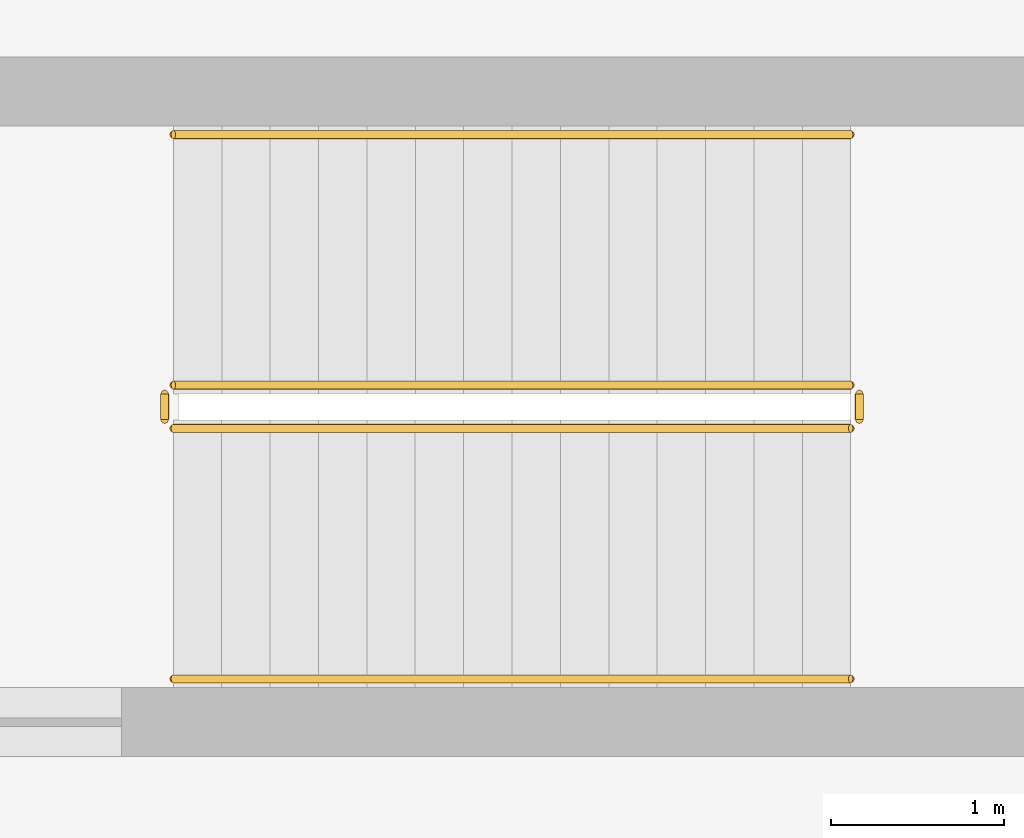
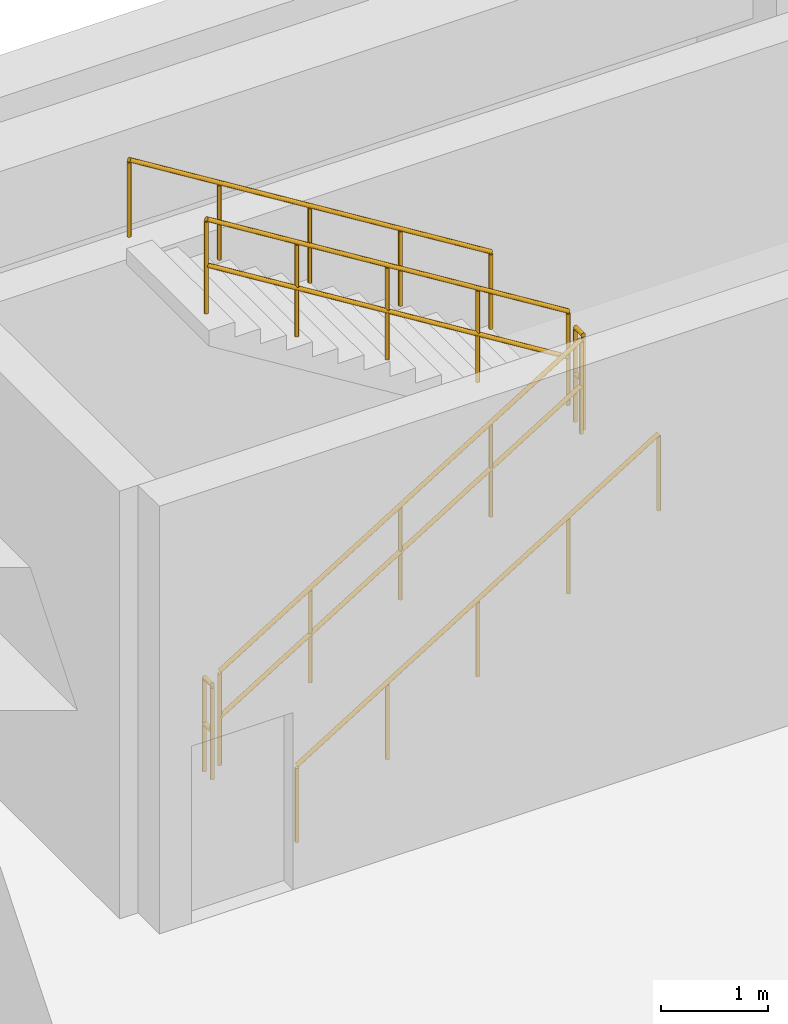
# One storey, part 11 of 13: 6 railings.
"""IFC4 building model written with IfcOpenShell, lengths in metres."""

import ifcopenshell
import ifcopenshell.guid

model = None  # the IFC model being written
_history = None  # IfcOwnerHistory: only IFC2X3 demands one
_inside = {}  # id of a spatial element -> (the spatial element, [elements in it])
_under = {}  # id of a project, library or spatial element -> (it, [spatial elements below it])
_declared = {}  # id of a project -> (the project, [libraries it declares])
_typed = {}  # id of a type object -> (the type object, [elements of that type])
_made_of = {}  # id of a material, layer set ... -> (it, [elements and type objects made of it])


def new_model(schema):
    """Start an empty IFC model of exactly this schema.

    Asked for "IFC4X3", IfcOpenShell would pick the latest addendum, in which some entities
    have other attributes; the version numbers below select the first issue.
    IFC2X3 requires an IfcOwnerHistory on every rooted entity: one is made here for all.
    """
    global model, _history
    if schema == "IFC4X3":
        model = ifcopenshell.file(schema_version=(4, 3, 0, 0))
    else:
        model = ifcopenshell.file(schema=schema)
    _inside.clear()
    _under.clear()
    _declared.clear()
    _typed.clear()
    _made_of.clear()
    _history = None
    if model.schema == "IFC2X3":
        org = make("IfcOrganization", Name="unknown")
        user = make(
            "IfcPersonAndOrganization",
            ThePerson=make("IfcPerson", FamilyName="unknown"),
            TheOrganization=org,
        )
        app = make(
            "IfcApplication",
            ApplicationDeveloper=org,
            Version="unknown",
            ApplicationFullName="unknown",
            ApplicationIdentifier="unknown",
        )
        _history = make(
            "IfcOwnerHistory",
            OwningUser=user,
            OwningApplication=app,
            ChangeAction="ADDED",
            CreationDate=0,
        )
    return model


def make(cls, **values):
    """One entity of the class cls with the attributes given. An attribute that is None is left unset."""
    return model.create_entity(
        cls, **{name: value for name, value in values.items() if value is not None}
    )


def rooted(cls, **values):
    """An entity with a GlobalId (a new one), such as an element, a storey or a relation."""
    return make(cls, GlobalId=ifcopenshell.guid.new(), OwnerHistory=_history, **values)


def si_unit(unit_type, name, prefix=None):
    """IfcSIUnit, for example si_unit("LENGTHUNIT", "METRE", prefix="MILLI")."""
    return make("IfcSIUnit", UnitType=unit_type, Prefix=prefix, Name=name)


def assignment(units):
    """IfcUnitAssignment: the units of a project."""
    return None if units is None else make("IfcUnitAssignment", Units=units)


def point(xyz):
    """IfcCartesianPoint."""
    return None if xyz is None else make("IfcCartesianPoint", Coordinates=xyz)


def direction(xyz):
    """IfcDirection."""
    return None if xyz is None else make("IfcDirection", DirectionRatios=xyz)


def frame(location, z_axis=None, x_axis=None):
    """IfcAxis2Placement3D, a coordinate frame: its origin and axes. An axis left out is left unset."""
    return make(
        "IfcAxis2Placement3D",
        Location=point(location),
        Axis=direction(z_axis),
        RefDirection=direction(x_axis),
    )


def frame_2d(location, x_axis=None):
    """IfcAxis2Placement2D, a coordinate frame in the plane: its origin and x axis."""
    return make(
        "IfcAxis2Placement2D", Location=point(location), RefDirection=direction(x_axis)
    )


def origin():
    """The frame at (0, 0, 0) with its axes left unset."""
    return frame((0.0, 0.0, 0.0))


def origin_2d():
    """The frame at (0, 0) in the plane with its x axis left unset."""
    return frame_2d((0.0, 0.0))


def place(relative_to, where):
    """IfcLocalPlacement: puts the frame where relative to a parent placement (None: the world)."""
    return make(
        "IfcLocalPlacement", PlacementRelTo=relative_to, RelativePlacement=where
    )


def context(
    kind, dimensions, precision=None, world=None, true_north=None, identifier=None
):
    """IfcGeometricRepresentationContext, for example the 3D "Model" context."""
    return make(
        "IfcGeometricRepresentationContext",
        ContextIdentifier=identifier,
        ContextType=kind,
        CoordinateSpaceDimension=dimensions,
        Precision=precision,
        WorldCoordinateSystem=world,
        TrueNorth=true_north,
    )


def subcontext(parent, identifier, kind, view, scale=None):
    """IfcGeometricRepresentationSubContext, for example "Body" below "Model"."""
    return make(
        "IfcGeometricRepresentationSubContext",
        ContextIdentifier=identifier,
        ContextType=kind,
        ParentContext=parent,
        TargetScale=scale,
        TargetView=view,
    )


def project(units=None, contexts=None):
    """IfcProject with its units and contexts."""
    return rooted(
        "IfcProject",
        Name="project",
        RepresentationContexts=contexts,
        UnitsInContext=assignment(units),
    )


def spatial(cls, under=None, at=None, **own):
    """A site, building, storey or space (cls), placed at a placement, below another one or the project."""
    s = rooted(cls, ObjectPlacement=at, **own)
    if under is not None:
        _under.setdefault(under.id(), (under, []))[1].append(s)
    return s


def profile(cls, at=None, kind="AREA", **sizes):
    """A parametric profile (cls). Its sizes go by their IFC names, for example OverallWidth=200.0."""
    return make(cls, ProfileType=kind, Position=at, **sizes)


def circle(**sizes):
    """IfcCircleProfileDef."""
    return profile("IfcCircleProfileDef", **sizes)


def extrude(swept, where, along, depth):
    """IfcExtrudedAreaSolid: the profile swept, set in the frame where, extruded along a direction by depth."""
    return make(
        "IfcExtrudedAreaSolid",
        SweptArea=swept,
        Position=where,
        ExtrudedDirection=direction(along),
        Depth=depth,
    )


def shape(context_of_items, identifier, shape_type, items):
    """IfcShapeRepresentation: the items that make up one representation, for example the "Body"."""
    return make(
        "IfcShapeRepresentation",
        ContextOfItems=context_of_items,
        RepresentationIdentifier=identifier,
        RepresentationType=shape_type,
        Items=items,
    )


def material(Name=None, Category=None):
    """IfcMaterial."""
    return make("IfcMaterial", Name=Name, Category=Category)


def made_of(thing, what):
    """Note that an element or type object is made of a material, layer set ...; save() writes the relation."""
    if what is not None:
        _made_of.setdefault(what.id(), (what, []))[1].append(thing)
    return thing


def type_object(cls, material=None, **own):
    """A type object (cls), such as IfcWallType, which elements share."""
    return made_of(rooted(cls, **own), material)


def element(
    cls,
    number,
    at=None,
    inside=None,
    cuts=None,
    type_object=None,
    material=None,
    context=None,
    identifier="Body",
    shape_type=None,
    held_by="IfcProductDefinitionShape",
    body=None,
    shapes=None,
    **own,
):
    """One element of the class cls, such as IfcWall. Its Tag is "e" and its number.

    at: its placement. inside: the storey or other place that contains it. cuts: it is an
    opening in that element (IfcRelVoidsElement). A single representation is given by context,
    identifier, shape_type and body (its items); several are given by shapes. held_by: the class
    of the entity that holds the representations. save() writes the other relations.
    """
    e = rooted(cls, Tag="e%d" % number, ObjectPlacement=at, **own)
    if body is not None:
        shapes = [shape(context, identifier, shape_type, body)]
    if shapes is not None:
        e.Representation = make(held_by, Representations=shapes)
    if inside is not None:
        _inside.setdefault(inside.id(), (inside, []))[1].append(e)
    if cuts is not None:
        rooted(
            "IfcRelVoidsElement", RelatingBuildingElement=cuts, RelatedOpeningElement=e
        )
    if type_object is not None:
        _typed.setdefault(type_object.id(), (type_object, []))[1].append(e)
    return made_of(e, material)


def aggregate(whole, parts):
    """IfcRelAggregates: a whole, such as a stair, and the parts it consists of."""
    return rooted("IfcRelAggregates", RelatingObject=whole, RelatedObjects=parts)


def save(model, path):
    """Write the relations noted so far, then the file.

    IfcRelAggregates (storeys below a building ...), IfcRelContainedInSpatialStructure (elements
    in a storey), IfcRelDefinesByType, IfcRelAssociatesMaterial and IfcRelDeclares: one each for
    every whole, place, type object, material and project.
    """
    for whole, parts in _under.values():
        aggregate(whole, parts)
    for where, things in _inside.values():
        rooted(
            "IfcRelContainedInSpatialStructure",
            RelatedElements=things,
            RelatingStructure=where,
        )
    for kind, things in _typed.values():
        rooted("IfcRelDefinesByType", RelatedObjects=things, RelatingType=kind)
    for what, things in _made_of.values():
        rooted("IfcRelAssociatesMaterial", RelatedObjects=things, RelatingMaterial=what)
    for by, libraries in _declared.values():
        rooted("IfcRelDeclares", RelatingContext=by, RelatedDefinitions=libraries)
    model.write(path)


model = new_model("IFC4")

# Units and contexts
model_context = context("Model", 3, precision=1e-05, world=origin(), true_north=direction((0.0, 1.0)))
body_context = subcontext(model_context, "Body", "Model", "MODEL_VIEW")
ifc_project = project(units=[si_unit("LENGTHUNIT", "METRE"), si_unit("AREAUNIT", "SQUARE_METRE"), si_unit("VOLUMEUNIT", "CUBIC_METRE"), si_unit("PLANEANGLEUNIT", "RADIAN"), si_unit("MASSUNIT", "GRAM", prefix="KILO")], contexts=[model_context])

# Site, building, storey
site_placement = place(None, origin())
site = spatial("IfcSite", under=ifc_project, at=site_placement, CompositionType="ELEMENT")
building_placement = place(site_placement, origin())
building = spatial("IfcBuilding", under=site, at=building_placement, Name="Veraguas Prism Commons", CompositionType="ELEMENT")
storey_placement = place(building_placement, frame((0.0, 0.0, -5.199951171875)))
storey = spatial("IfcBuildingStorey", under=building, at=storey_placement, Name="B1", CompositionType="ELEMENT", Elevation=-5.199951171875)

# Railings
ifc_material = material(Name="Stainless steel AISI 316", Category="steel")
railing_type_1 = type_object("IfcRailingType", Name="Stair and Ramp Stainless Handrail 900", PredefinedType="HANDRAIL", material=ifc_material)
railing_1_placement = place(storey_placement, frame((4.949951171875, 41.31005859375, 0.17333984375)))
element("IfcRailing", 1, at=railing_1_placement, inside=storey, type_object=railing_type_1, Name="Stair Handrail ST-M2 B1-1", PredefinedType="HANDRAIL", context=body_context, shape_type="SweptSolid", body=[
    extrude(circle(Radius=0.02392578125, at=origin_2d()), frame((0.0, 0.0, 0.8759765625), z_axis=(0.850289973577, 0.0, 0.526314507528), x_axis=(0.0, 1.0, 0.0)), (0.0, 0.0, 1.0), 4.6103515625),
    extrude(circle(Radius=0.02099609375, at=origin_2d()), origin(), (0.0, 0.0, 1.0), 0.851806640625),
    extrude(circle(Radius=0.02099609375, at=origin_2d()), frame((0.97998046875, 0.0, 0.606689453125)), (0.0, 0.0, 1.0), 0.851806640625),
    extrude(circle(Radius=0.02099609375, at=origin_2d()), frame((1.9599609375, 0.0, 1.21337890625)), (0.0, 0.0, 1.0), 0.851806640625),
    extrude(circle(Radius=0.02099609375, at=origin_2d()), frame((2.940185546875, 0.0, 1.81982421875)), (0.0, 0.0, 1.0), 0.851806640625),
    extrude(circle(Radius=0.02099609375, at=origin_2d()), frame((3.920166015625, 0.0, 2.426513671875)), (0.0, 0.0, 1.0), 0.851806640625),
])
railing_2_placement = place(storey_placement, frame((8.8701171875, 44.4599609375, 2.773193359375)))
element("IfcRailing", 2, at=railing_2_placement, inside=storey, type_object=railing_type_1, Name="Stair Handrail ST-M2 B1-2", PredefinedType="HANDRAIL", context=body_context, shape_type="SweptSolid", body=[
    extrude(circle(Radius=0.02392578125, at=origin_2d()), frame((0.0, 0.0, 0.8759765625), z_axis=(-0.850266275192, 0.0, 0.526352791643), x_axis=(0.0, -1.0, 0.0)), (0.0, 0.0, 1.0), 4.610595703125),
    extrude(circle(Radius=0.02099609375, at=origin_2d()), origin(), (0.0, 0.0, 1.0), 0.851806640625),
    extrude(circle(Radius=0.02099609375, at=origin_2d()), frame((-0.97998046875, 0.0, 0.606689453125)), (0.0, 0.0, 1.0), 0.851806640625),
    extrude(circle(Radius=0.02099609375, at=origin_2d()), frame((-1.9599609375, 0.0, 1.21337890625)), (0.0, 0.0, 1.0), 0.851806640625),
    extrude(circle(Radius=0.02099609375, at=origin_2d()), frame((-2.940185546875, 0.0, 1.820068359375)), (0.0, 0.0, 1.0), 0.851806640625),
    extrude(circle(Radius=0.02099609375, at=origin_2d()), frame((-3.920166015625, 0.0, 2.4267578125)), (0.0, 0.0, 1.0), 0.851806640625),
])
railing_type_2 = type_object("IfcRailingType", Name="Stairwell Safety Guardrail 1100", PredefinedType="GUARDRAIL", material=ifc_material)
railing_3_placement = place(storey_placement, frame((4.949951171875, 42.760009765625, 0.17333984375)))
element("IfcRailing", 3, at=railing_3_placement, inside=storey, type_object=railing_type_2, Name="Stair Guard ST-M2 B1-1", PredefinedType="GUARDRAIL", context=body_context, shape_type="SweptSolid", body=[
    extrude(circle(Radius=0.02392578125, at=origin_2d()), frame((0.0, 0.0, 1.076171875), z_axis=(0.850289973577, 0.0, 0.526314507528), x_axis=(0.0, 1.0, 0.0)), (0.0, 0.0, 1.0), 4.6103515625),
    extrude(circle(Radius=0.02392578125, at=origin_2d()), frame((0.0, 0.0, 0.550048828125), z_axis=(0.850289973577, 0.0, 0.526314507528), x_axis=(0.0, 1.0, 0.0)), (0.0, 0.0, 1.0), 4.6103515625),
    extrude(circle(Radius=0.02099609375, at=origin_2d()), origin(), (0.0, 0.0, 1.0), 1.052001953125),
    extrude(circle(Radius=0.02099609375, at=origin_2d()), frame((0.97998046875, 0.0, 0.606689453125)), (0.0, 0.0, 1.0), 1.052001953125),
    extrude(circle(Radius=0.02099609375, at=origin_2d()), frame((1.9599609375, 0.0, 1.21337890625)), (0.0, 0.0, 1.0), 1.052001953125),
    extrude(circle(Radius=0.02099609375, at=origin_2d()), frame((2.940185546875, 0.0, 1.81982421875)), (0.0, 0.0, 1.0), 1.052001953125),
    extrude(circle(Radius=0.02099609375, at=origin_2d()), frame((3.920166015625, 0.0, 2.426513671875)), (0.0, 0.0, 1.0), 1.052001953125),
])
railing_4_placement = place(storey_placement, frame((8.919921875, 42.81005859375, 2.599853515625)))
element("IfcRailing", 4, at=railing_4_placement, inside=storey, type_object=railing_type_2, Name="Stair Guard ST-M2 B1-2", PredefinedType="GUARDRAIL", context=body_context, shape_type="SweptSolid", body=[
    extrude(circle(Radius=0.02392578125, at=origin_2d()), frame((0.0, 0.0, 1.076171875), z_axis=(0.0, 1.0, 0.0), x_axis=(-1.0, 0.0, 0.0)), (0.0, 0.0, 1.0), 0.14990234375),
    extrude(circle(Radius=0.02392578125, at=origin_2d()), frame((0.0, 0.0, 0.550048828125), z_axis=(0.0, 1.0, 0.0), x_axis=(-1.0, 0.0, 0.0)), (0.0, 0.0, 1.0), 0.14990234375),
    extrude(circle(Radius=0.02099609375, at=origin_2d()), origin(), (0.0, 0.0, 1.0), 1.052001953125),
    extrude(circle(Radius=0.02099609375, at=origin_2d()), frame((0.0, 0.14990234375, 0.0)), (0.0, 0.0, 1.0), 1.052001953125),
])
railing_5_placement = place(storey_placement, frame((8.8701171875, 43.010009765625, 2.773193359375)))
element("IfcRailing", 5, at=railing_5_placement, inside=storey, type_object=railing_type_2, Name="Stair Guard ST-M2 B1-3", PredefinedType="GUARDRAIL", context=body_context, shape_type="SweptSolid", body=[
    extrude(circle(Radius=0.02392578125, at=origin_2d()), frame((0.0, 0.0, 1.076171875), z_axis=(-0.850266275192, 0.0, 0.526352791643), x_axis=(0.0, -1.0, 0.0)), (0.0, 0.0, 1.0), 4.610595703125),
    extrude(circle(Radius=0.02392578125, at=origin_2d()), frame((0.0, 0.0, 0.550048828125), z_axis=(-0.850266275192, 0.0, 0.526352791643), x_axis=(0.0, -1.0, 0.0)), (0.0, 0.0, 1.0), 4.610595703125),
    extrude(circle(Radius=0.02099609375, at=origin_2d()), origin(), (0.0, 0.0, 1.0), 1.052001953125),
    extrude(circle(Radius=0.02099609375, at=origin_2d()), frame((-0.97998046875, 0.0, 0.606689453125)), (0.0, 0.0, 1.0), 1.052001953125),
    extrude(circle(Radius=0.02099609375, at=origin_2d()), frame((-1.9599609375, 0.0, 1.21337890625)), (0.0, 0.0, 1.0), 1.052001953125),
    extrude(circle(Radius=0.02099609375, at=origin_2d()), frame((-2.940185546875, 0.0, 1.820068359375)), (0.0, 0.0, 1.0), 1.052001953125),
    extrude(circle(Radius=0.02099609375, at=origin_2d()), frame((-3.920166015625, 0.0, 2.4267578125)), (0.0, 0.0, 1.0), 1.052001953125),
])
railing_6_placement = place(storey_placement, frame((4.89990234375, 42.81005859375, 0.0)))
element("IfcRailing", 6, at=railing_6_placement, inside=storey, type_object=railing_type_2, Name="Stair Guard ST-M2 B1-4", PredefinedType="GUARDRAIL", context=body_context, shape_type="SweptSolid", body=[
    extrude(circle(Radius=0.02392578125, at=origin_2d()), frame((0.0, 0.0, 1.076171875), z_axis=(0.0, 1.0, 0.0), x_axis=(-1.0, 0.0, 0.0)), (0.0, 0.0, 1.0), 0.14990234375),
    extrude(circle(Radius=0.02392578125, at=origin_2d()), frame((0.0, 0.0, 0.550048828125), z_axis=(0.0, 1.0, 0.0), x_axis=(-1.0, 0.0, 0.0)), (0.0, 0.0, 1.0), 0.14990234375),
    extrude(circle(Radius=0.02099609375, at=origin_2d()), origin(), (0.0, 0.0, 1.0), 1.052001953125),
    extrude(circle(Radius=0.02099609375, at=origin_2d()), frame((0.0, 0.14990234375, 0.0)), (0.0, 0.0, 1.0), 1.052001953125),
])

save(model, "model.ifc")
